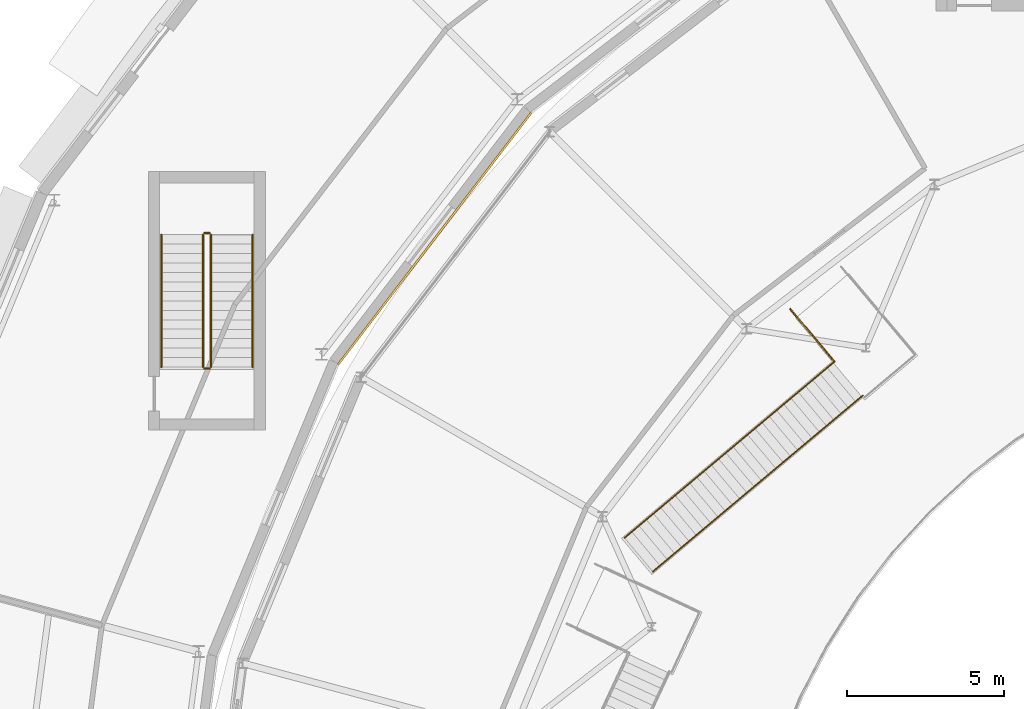
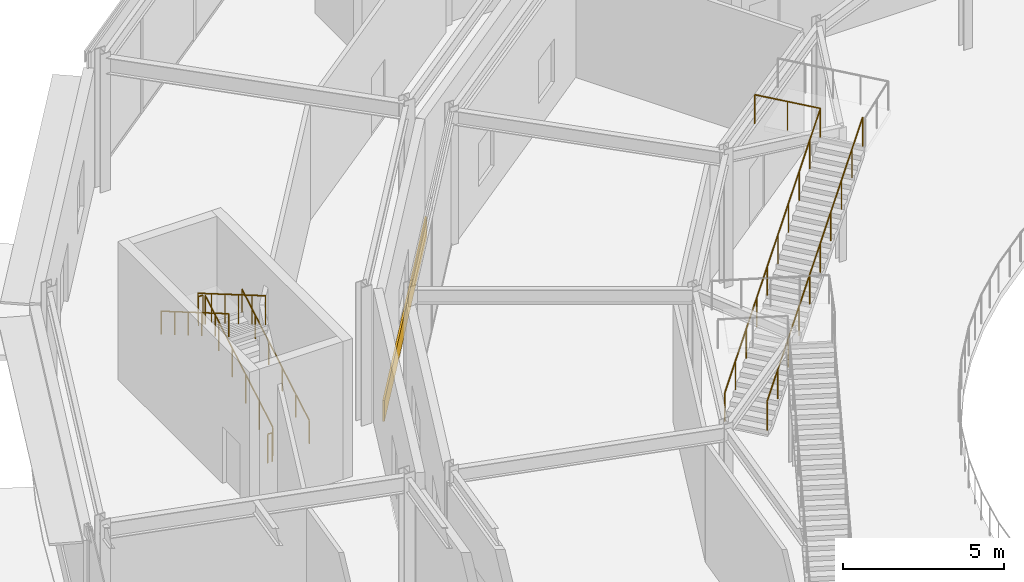
# One storey, part 154 of 168: 9 railings, 1 covering.
"""IFC4 building model written with IfcOpenShell, lengths in metres."""

import ifcopenshell
import ifcopenshell.guid

model = None  # the IFC model being written
_history = None  # IfcOwnerHistory: only IFC2X3 demands one
_inside = {}  # id of a spatial element -> (the spatial element, [elements in it])
_under = {}  # id of a project, library or spatial element -> (it, [spatial elements below it])
_declared = {}  # id of a project -> (the project, [libraries it declares])
_typed = {}  # id of a type object -> (the type object, [elements of that type])
_made_of = {}  # id of a material, layer set ... -> (it, [elements and type objects made of it])


def new_model(schema):
    """Start an empty IFC model of exactly this schema.

    Asked for "IFC4X3", IfcOpenShell would pick the latest addendum, in which some entities
    have other attributes; the version numbers below select the first issue.
    IFC2X3 requires an IfcOwnerHistory on every rooted entity: one is made here for all.
    """
    global model, _history
    if schema == "IFC4X3":
        model = ifcopenshell.file(schema_version=(4, 3, 0, 0))
    else:
        model = ifcopenshell.file(schema=schema)
    _inside.clear()
    _under.clear()
    _declared.clear()
    _typed.clear()
    _made_of.clear()
    _history = None
    if model.schema == "IFC2X3":
        org = make("IfcOrganization", Name="unknown")
        user = make(
            "IfcPersonAndOrganization",
            ThePerson=make("IfcPerson", FamilyName="unknown"),
            TheOrganization=org,
        )
        app = make(
            "IfcApplication",
            ApplicationDeveloper=org,
            Version="unknown",
            ApplicationFullName="unknown",
            ApplicationIdentifier="unknown",
        )
        _history = make(
            "IfcOwnerHistory",
            OwningUser=user,
            OwningApplication=app,
            ChangeAction="ADDED",
            CreationDate=0,
        )
    return model


def make(cls, **values):
    """One entity of the class cls with the attributes given. An attribute that is None is left unset."""
    return model.create_entity(
        cls, **{name: value for name, value in values.items() if value is not None}
    )


def rooted(cls, **values):
    """An entity with a GlobalId (a new one), such as an element, a storey or a relation."""
    return make(cls, GlobalId=ifcopenshell.guid.new(), OwnerHistory=_history, **values)


def si_unit(unit_type, name, prefix=None):
    """IfcSIUnit, for example si_unit("LENGTHUNIT", "METRE", prefix="MILLI")."""
    return make("IfcSIUnit", UnitType=unit_type, Prefix=prefix, Name=name)


def assignment(units):
    """IfcUnitAssignment: the units of a project."""
    return None if units is None else make("IfcUnitAssignment", Units=units)


def point(xyz):
    """IfcCartesianPoint."""
    return None if xyz is None else make("IfcCartesianPoint", Coordinates=xyz)


def direction(xyz):
    """IfcDirection."""
    return None if xyz is None else make("IfcDirection", DirectionRatios=xyz)


def frame(location, z_axis=None, x_axis=None):
    """IfcAxis2Placement3D, a coordinate frame: its origin and axes. An axis left out is left unset."""
    return make(
        "IfcAxis2Placement3D",
        Location=point(location),
        Axis=direction(z_axis),
        RefDirection=direction(x_axis),
    )


def frame_2d(location, x_axis=None):
    """IfcAxis2Placement2D, a coordinate frame in the plane: its origin and x axis."""
    return make(
        "IfcAxis2Placement2D", Location=point(location), RefDirection=direction(x_axis)
    )


def origin():
    """The frame at (0, 0, 0) with its axes left unset."""
    return frame((0.0, 0.0, 0.0))


def origin_2d():
    """The frame at (0, 0) in the plane with its x axis left unset."""
    return frame_2d((0.0, 0.0))


def place(relative_to, where):
    """IfcLocalPlacement: puts the frame where relative to a parent placement (None: the world)."""
    return make(
        "IfcLocalPlacement", PlacementRelTo=relative_to, RelativePlacement=where
    )


def context(
    kind, dimensions, precision=None, world=None, true_north=None, identifier=None
):
    """IfcGeometricRepresentationContext, for example the 3D "Model" context."""
    return make(
        "IfcGeometricRepresentationContext",
        ContextIdentifier=identifier,
        ContextType=kind,
        CoordinateSpaceDimension=dimensions,
        Precision=precision,
        WorldCoordinateSystem=world,
        TrueNorth=true_north,
    )


def subcontext(parent, identifier, kind, view, scale=None):
    """IfcGeometricRepresentationSubContext, for example "Body" below "Model"."""
    return make(
        "IfcGeometricRepresentationSubContext",
        ContextIdentifier=identifier,
        ContextType=kind,
        ParentContext=parent,
        TargetScale=scale,
        TargetView=view,
    )


def project(units=None, contexts=None):
    """IfcProject with its units and contexts."""
    return rooted(
        "IfcProject",
        Name="project",
        RepresentationContexts=contexts,
        UnitsInContext=assignment(units),
    )


def spatial(cls, under=None, at=None, **own):
    """A site, building, storey or space (cls), placed at a placement, below another one or the project."""
    s = rooted(cls, ObjectPlacement=at, **own)
    if under is not None:
        _under.setdefault(under.id(), (under, []))[1].append(s)
    return s


def profile(cls, at=None, kind="AREA", **sizes):
    """A parametric profile (cls). Its sizes go by their IFC names, for example OverallWidth=200.0."""
    return make(cls, ProfileType=kind, Position=at, **sizes)


def rectangle(**sizes):
    """IfcRectangleProfileDef."""
    return profile("IfcRectangleProfileDef", **sizes)


def circle(**sizes):
    """IfcCircleProfileDef."""
    return profile("IfcCircleProfileDef", **sizes)


def extrude(swept, where, along, depth):
    """IfcExtrudedAreaSolid: the profile swept, set in the frame where, extruded along a direction by depth."""
    return make(
        "IfcExtrudedAreaSolid",
        SweptArea=swept,
        Position=where,
        ExtrudedDirection=direction(along),
        Depth=depth,
    )


def shape(context_of_items, identifier, shape_type, items):
    """IfcShapeRepresentation: the items that make up one representation, for example the "Body"."""
    return make(
        "IfcShapeRepresentation",
        ContextOfItems=context_of_items,
        RepresentationIdentifier=identifier,
        RepresentationType=shape_type,
        Items=items,
    )


def material(Name=None, Category=None):
    """IfcMaterial."""
    return make("IfcMaterial", Name=Name, Category=Category)


def layer(
    of_material, thickness, ventilated=None, Name=None, Category=None, Priority=None
):
    """IfcMaterialLayer: one layer of a wall or slab, of a material (None: an air gap)."""
    return make(
        "IfcMaterialLayer",
        Material=of_material,
        LayerThickness=thickness,
        IsVentilated=ventilated,
        Name=Name,
        Category=Category,
        Priority=Priority,
    )


def layer_set(layers, Name=None):
    """IfcMaterialLayerSet."""
    return make("IfcMaterialLayerSet", MaterialLayers=layers, LayerSetName=Name)


def made_of(thing, what):
    """Note that an element or type object is made of a material, layer set ...; save() writes the relation."""
    if what is not None:
        _made_of.setdefault(what.id(), (what, []))[1].append(thing)
    return thing


def type_object(cls, material=None, **own):
    """A type object (cls), such as IfcWallType, which elements share."""
    return made_of(rooted(cls, **own), material)


def element(
    cls,
    number,
    at=None,
    inside=None,
    cuts=None,
    type_object=None,
    material=None,
    context=None,
    identifier="Body",
    shape_type=None,
    held_by="IfcProductDefinitionShape",
    body=None,
    shapes=None,
    **own,
):
    """One element of the class cls, such as IfcWall. Its Tag is "e" and its number.

    at: its placement. inside: the storey or other place that contains it. cuts: it is an
    opening in that element (IfcRelVoidsElement). A single representation is given by context,
    identifier, shape_type and body (its items); several are given by shapes. held_by: the class
    of the entity that holds the representations. save() writes the other relations.
    """
    e = rooted(cls, Tag="e%d" % number, ObjectPlacement=at, **own)
    if body is not None:
        shapes = [shape(context, identifier, shape_type, body)]
    if shapes is not None:
        e.Representation = make(held_by, Representations=shapes)
    if inside is not None:
        _inside.setdefault(inside.id(), (inside, []))[1].append(e)
    if cuts is not None:
        rooted(
            "IfcRelVoidsElement", RelatingBuildingElement=cuts, RelatedOpeningElement=e
        )
    if type_object is not None:
        _typed.setdefault(type_object.id(), (type_object, []))[1].append(e)
    return made_of(e, material)


def aggregate(whole, parts):
    """IfcRelAggregates: a whole, such as a stair, and the parts it consists of."""
    return rooted("IfcRelAggregates", RelatingObject=whole, RelatedObjects=parts)


def save(model, path):
    """Write the relations noted so far, then the file.

    IfcRelAggregates (storeys below a building ...), IfcRelContainedInSpatialStructure (elements
    in a storey), IfcRelDefinesByType, IfcRelAssociatesMaterial and IfcRelDeclares: one each for
    every whole, place, type object, material and project.
    """
    for whole, parts in _under.values():
        aggregate(whole, parts)
    for where, things in _inside.values():
        rooted(
            "IfcRelContainedInSpatialStructure",
            RelatedElements=things,
            RelatingStructure=where,
        )
    for kind, things in _typed.values():
        rooted("IfcRelDefinesByType", RelatedObjects=things, RelatingType=kind)
    for what, things in _made_of.values():
        rooted("IfcRelAssociatesMaterial", RelatedObjects=things, RelatingMaterial=what)
    for by, libraries in _declared.values():
        rooted("IfcRelDeclares", RelatingContext=by, RelatedDefinitions=libraries)
    model.write(path)


model = new_model("IFC4")

# Units and contexts
model_context = context("Model", 3, precision=1e-05, world=origin(), true_north=direction((0.0, 1.0)))
body_context = subcontext(model_context, "Body", "Model", "MODEL_VIEW")
ifc_project = project(units=[si_unit("LENGTHUNIT", "METRE"), si_unit("AREAUNIT", "SQUARE_METRE"), si_unit("VOLUMEUNIT", "CUBIC_METRE"), si_unit("PLANEANGLEUNIT", "RADIAN"), si_unit("MASSUNIT", "GRAM", prefix="KILO")], contexts=[model_context])

# Site, building, storey
site_placement = place(None, origin())
site = spatial("IfcSite", under=ifc_project, at=site_placement, CompositionType="ELEMENT")
building_placement = place(site_placement, origin())
building = spatial("IfcBuilding", under=site, at=building_placement, Name="Almandine Court Research Institute", CompositionType="ELEMENT")
storey_placement = place(building_placement, origin())
storey = spatial("IfcBuildingStorey", under=building, at=storey_placement, Name="L00", CompositionType="ELEMENT", Elevation=0.0)

# Covering
ifc_material_1 = material(Name="Honed Andean Red-Buff Sandstone Cladding", Category="masonry")
ifc_layer = layer(ifc_material_1, 0.06494140625)
ifc_layer_set = layer_set([ifc_layer], Name="Honed Andean Red-Buff Sandstone Cladding")
covering_type = type_object("IfcCoveringType", Name="Cov-CLAD-SAND", PredefinedType="CLADDING", material=ifc_layer_set)
covering_placement = place(storey_placement, frame((56.72998046875, 79.22705078125, 0.02001953125), z_axis=(0.0, 0.0, 1.0), x_axis=(-0.608761429009, -0.793353340291, 0.0)))
element("IfcCovering", 1, at=covering_placement, inside=storey, type_object=covering_type, Name="L00 Facade Spandrel Cladding Band 279", PredefinedType="CLADDING", context=body_context, shape_type="SweptSolid", body=[
    extrude(rectangle(XDim=10.080078125, YDim=0.06494140625, at=origin_2d()), origin(), (0.0, 0.0, 1.0), 0.800048828125),
])

# Railings
ifc_material_2 = material(Name="Powder-Coated Steel Stair and Atrium Balustrade", Category="steel")
railing_type_1 = type_object("IfcRailingType", Name="Rail-GUARD-INT", PredefinedType="BALUSTRADE", material=ifc_material_2)
railing_1_placement = place(storey_placement, frame((49.6298828125, 75.14990234375, 0.175048828125)))
element("IfcRailing", 2, at=railing_1_placement, inside=storey, type_object=railing_type_1, Name="L00 ST-15 stair guard 1", PredefinedType="BALUSTRADE", context=body_context, shape_type="SweptSolid", body=[
    extrude(circle(Radius=0.02392578125, at=origin_2d()), frame((0.0, 0.0, 1.09619140625), z_axis=(0.0, 0.863793468915, 0.503846050951), x_axis=(-1.0, 0.0, 0.0)), (0.0, 0.0, 1.0), 4.862548828125),
    extrude(circle(Radius=0.02099609375, at=origin_2d()), origin(), (0.0, 0.0, 1.0), 1.072021484375),
    extrude(circle(Radius=0.02099609375, at=origin_2d()), frame((0.0, 0.840087890625, 0.489990234375)), (0.0, 0.0, 1.0), 1.072021484375),
    extrude(circle(Radius=0.02099609375, at=origin_2d()), frame((0.0, 1.68017578125, 0.97998046875)), (0.0, 0.0, 1.0), 1.072021484375),
    extrude(circle(Radius=0.02099609375, at=origin_2d()), frame((0.0, 2.52001953125, 1.469970703125)), (0.0, 0.0, 1.0), 1.072021484375),
    extrude(circle(Radius=0.02099609375, at=origin_2d()), frame((0.0, 3.360107421875, 1.9599609375)), (0.0, 0.0, 1.0), 1.072021484375),
    extrude(circle(Radius=0.02099609375, at=origin_2d()), frame((0.0, 4.2001953125, 2.449951171875)), (0.0, 0.0, 1.0), 1.072021484375),
])
railing_2_placement = place(storey_placement, frame((49.580078125, 79.39990234375, 2.625)))
element("IfcRailing", 3, at=railing_2_placement, inside=storey, type_object=railing_type_1, Name="L00 ST-15 stair guard 2", PredefinedType="BALUSTRADE", context=body_context, shape_type="SweptSolid", body=[
    extrude(circle(Radius=0.02392578125, at=origin_2d()), frame((0.0, 0.0, 1.09619140625), z_axis=(-1.0, 0.0, 0.0), x_axis=(0.0, -1.0, 0.0)), (0.0, 0.0, 1.0), 0.16015625),
    extrude(circle(Radius=0.02099609375, at=origin_2d()), origin(), (0.0, 0.0, 1.0), 1.072021484375),
    extrude(circle(Radius=0.02099609375, at=origin_2d()), frame((-0.16015625, 0.0, 0.0)), (0.0, 0.0, 1.0), 1.072021484375),
])
railing_3_placement = place(storey_placement, frame((49.3701171875, 79.35009765625, 2.800048828125)))
element("IfcRailing", 4, at=railing_3_placement, inside=storey, type_object=railing_type_1, Name="L00 ST-15 stair guard 3", PredefinedType="BALUSTRADE", context=body_context, shape_type="SweptSolid", body=[
    extrude(circle(Radius=0.02392578125, at=origin_2d()), frame((0.0, 0.0, 1.09619140625), z_axis=(0.0, -0.863793468915, 0.503846050951), x_axis=(1.0, 0.0, 0.0)), (0.0, 0.0, 1.0), 4.862548828125),
    extrude(circle(Radius=0.02099609375, at=origin_2d()), origin(), (0.0, 0.0, 1.0), 1.072021484375),
    extrude(circle(Radius=0.02099609375, at=origin_2d()), frame((0.0, -0.840087890625, 0.489990234375)), (0.0, 0.0, 1.0), 1.072021484375),
    extrude(circle(Radius=0.02099609375, at=origin_2d()), frame((0.0, -1.68017578125, 0.97998046875)), (0.0, 0.0, 1.0), 1.072021484375),
    extrude(circle(Radius=0.02099609375, at=origin_2d()), frame((0.0, -2.52001953125, 1.469970703125)), (0.0, 0.0, 1.0), 1.072021484375),
    extrude(circle(Radius=0.02099609375, at=origin_2d()), frame((0.0, -3.360107421875, 1.9599609375)), (0.0, 0.0, 1.0), 1.072021484375),
    extrude(circle(Radius=0.02099609375, at=origin_2d()), frame((0.0, -4.2001953125, 2.449951171875)), (0.0, 0.0, 1.0), 1.072021484375),
])
railing_4_placement = place(storey_placement, frame((49.580078125, 75.10009765625, 0.0)))
element("IfcRailing", 5, at=railing_4_placement, inside=storey, type_object=railing_type_1, Name="L00 ST-15 stair guard 4", PredefinedType="BALUSTRADE", context=body_context, shape_type="SweptSolid", body=[
    extrude(circle(Radius=0.02392578125, at=origin_2d()), frame((0.0, 0.0, 1.09619140625), z_axis=(-1.0, 0.0, 0.0), x_axis=(0.0, -1.0, 0.0)), (0.0, 0.0, 1.0), 0.16015625),
    extrude(circle(Radius=0.02099609375, at=origin_2d()), origin(), (0.0, 0.0, 1.0), 1.072021484375),
    extrude(circle(Radius=0.02099609375, at=origin_2d()), frame((-0.16015625, 0.0, 0.0)), (0.0, 0.0, 1.0), 1.072021484375),
])
railing_5_placement = place(storey_placement, frame((63.654052734375, 68.654052734375, 0.175048828125)))
element("IfcRailing", 6, at=railing_5_placement, inside=storey, type_object=railing_type_1, Name="L00 ST-AT-03 Flight Guard IN", PredefinedType="BALUSTRADE", context=body_context, shape_type="SweptSolid", body=[
    extrude(circle(Radius=0.02392578125, at=origin_2d()), frame((0.0, 0.0, 1.09619140625), z_axis=(0.661727596307, 0.555196725034, 0.503858298331), x_axis=(-0.642747759469, 0.766077879655, 0.0)), (0.0, 0.0, 1.0), 10.072265625),
    extrude(circle(Radius=0.02099609375, at=origin_2d()), origin(), (0.0, 0.0, 1.0), 1.072021484375),
    extrude(circle(Radius=0.02099609375, at=origin_2d()), frame((0.740478515625, 0.621337890625, 0.56396484375)), (0.0, 0.0, 1.0), 1.072021484375),
    extrude(circle(Radius=0.02099609375, at=origin_2d()), frame((1.481201171875, 1.24267578125, 1.127685546875)), (0.0, 0.0, 1.0), 1.072021484375),
    extrude(circle(Radius=0.02099609375, at=origin_2d()), frame((2.2216796875, 1.864013671875, 1.691650390625)), (0.0, 0.0, 1.0), 1.072021484375),
    extrude(circle(Radius=0.02099609375, at=origin_2d()), frame((2.962158203125, 2.4853515625, 2.255615234375)), (0.0, 0.0, 1.0), 1.072021484375),
    extrude(circle(Radius=0.02099609375, at=origin_2d()), frame((3.702880859375, 3.106689453125, 2.8193359375)), (0.0, 0.0, 1.0), 1.072021484375),
    extrude(circle(Radius=0.02099609375, at=origin_2d()), frame((4.443359375, 3.72802734375, 3.38330078125)), (0.0, 0.0, 1.0), 1.072021484375),
    extrude(circle(Radius=0.02099609375, at=origin_2d()), frame((5.183837890625, 4.349365234375, 3.947265625)), (0.0, 0.0, 1.0), 1.072021484375),
    extrude(circle(Radius=0.02099609375, at=origin_2d()), frame((5.924560546875, 4.970703125, 4.510986328125)), (0.0, 0.0, 1.0), 1.072021484375),
    extrude(circle(Radius=0.02099609375, at=origin_2d()), frame((6.6650390625, 5.592041015625, 5.074951171875)), (0.0, 0.0, 1.0), 1.072021484375),
])
railing_6_placement = place(storey_placement, frame((62.75390625, 69.72607421875, 0.175048828125)))
element("IfcRailing", 7, at=railing_6_placement, inside=storey, type_object=railing_type_1, Name="L00 ST-AT-03 Flight Guard OUT", PredefinedType="BALUSTRADE", context=body_context, shape_type="SweptSolid", body=[
    extrude(circle(Radius=0.02392578125, at=origin_2d()), frame((0.0, 0.0, 1.09619140625), z_axis=(0.66169197535, 0.555263789864, 0.503831175517), x_axis=(-0.642813626656, 0.766022611537, 0.0)), (0.0, 0.0, 1.0), 10.07275390625),
    extrude(circle(Radius=0.02099609375, at=origin_2d()), origin(), (0.0, 0.0, 1.0), 1.072021484375),
    extrude(circle(Radius=0.02099609375, at=origin_2d()), frame((0.740478515625, 0.621337890625, 0.56396484375)), (0.0, 0.0, 1.0), 1.072021484375),
    extrude(circle(Radius=0.02099609375, at=origin_2d()), frame((1.481201171875, 1.242919921875, 1.127685546875)), (0.0, 0.0, 1.0), 1.072021484375),
    extrude(circle(Radius=0.02099609375, at=origin_2d()), frame((2.2216796875, 1.8642578125, 1.691650390625)), (0.0, 0.0, 1.0), 1.072021484375),
    extrude(circle(Radius=0.02099609375, at=origin_2d()), frame((2.962158203125, 2.48583984375, 2.255615234375)), (0.0, 0.0, 1.0), 1.072021484375),
    extrude(circle(Radius=0.02099609375, at=origin_2d()), frame((3.702880859375, 3.107177734375, 2.8193359375)), (0.0, 0.0, 1.0), 1.072021484375),
    extrude(circle(Radius=0.02099609375, at=origin_2d()), frame((4.443359375, 3.728759765625, 3.38330078125)), (0.0, 0.0, 1.0), 1.072021484375),
    extrude(circle(Radius=0.02099609375, at=origin_2d()), frame((5.183837890625, 4.35009765625, 3.947265625)), (0.0, 0.0, 1.0), 1.072021484375),
    extrude(circle(Radius=0.02099609375, at=origin_2d()), frame((5.924560546875, 4.9716796875, 4.510986328125)), (0.0, 0.0, 1.0), 1.072021484375),
    extrude(circle(Radius=0.02099609375, at=origin_2d()), frame((6.6650390625, 5.593017578125, 5.074951171875)), (0.0, 0.0, 1.0), 1.072021484375),
])
railing_7_placement = place(storey_placement, frame((69.4189453125, 75.319091796875, 5.25)))
element("IfcRailing", 8, at=railing_7_placement, inside=storey, type_object=railing_type_1, Name="L00 ST-AT-03 Landing Near Return Guard", PredefinedType="BALUSTRADE", context=body_context, shape_type="SweptSolid", body=[
    extrude(circle(Radius=0.02392578125, at=origin_2d()), frame((0.0, 0.0, 1.09619140625), z_axis=(-0.642692859256, 0.766123938186, 0.0), x_axis=(-0.766123938186, -0.642692859256, 0.0)), (0.0, 0.0, 1.0), 2.1796875),
    extrude(circle(Radius=0.02099609375, at=origin_2d()), origin(), (0.0, 0.0, 1.0), 1.072021484375),
    extrude(circle(Radius=0.02099609375, at=origin_2d()), frame((-0.700439453125, 0.8349609375, 0.0)), (0.0, 0.0, 1.0), 1.072021484375),
    extrude(circle(Radius=0.02099609375, at=origin_2d()), frame((-1.40087890625, 1.669921875, 0.0)), (0.0, 0.0, 1.0), 1.072021484375),
])
ifc_material_3 = material(Name="Brushed Stainless Steel Wall Handrail", Category="steel")
railing_type_2 = type_object("IfcRailingType", Name="Rail-HAND-INT", PredefinedType="HANDRAIL", material=ifc_material_3)
railing_8_placement = place(storey_placement, frame((50.949951171875, 75.14990234375, 0.175048828125)))
element("IfcRailing", 9, at=railing_8_placement, inside=storey, type_object=railing_type_2, Name="L00 ST-15 stair handrail 1", PredefinedType="HANDRAIL", context=body_context, shape_type="SweptSolid", body=[
    extrude(circle(Radius=0.02392578125, at=origin_2d()), frame((0.0, 0.0, 0.8759765625), z_axis=(0.0, 0.863793468915, 0.503846050951), x_axis=(-1.0, 0.0, 0.0)), (0.0, 0.0, 1.0), 4.862548828125),
    extrude(circle(Radius=0.02099609375, at=origin_2d()), origin(), (0.0, 0.0, 1.0), 0.851806640625),
    extrude(circle(Radius=0.02099609375, at=origin_2d()), frame((0.0, 0.840087890625, 0.489990234375)), (0.0, 0.0, 1.0), 0.851806640625),
    extrude(circle(Radius=0.02099609375, at=origin_2d()), frame((0.0, 1.68017578125, 0.97998046875)), (0.0, 0.0, 1.0), 0.851806640625),
    extrude(circle(Radius=0.02099609375, at=origin_2d()), frame((0.0, 2.52001953125, 1.469970703125)), (0.0, 0.0, 1.0), 0.851806640625),
    extrude(circle(Radius=0.02099609375, at=origin_2d()), frame((0.0, 3.360107421875, 1.9599609375)), (0.0, 0.0, 1.0), 0.851806640625),
    extrude(circle(Radius=0.02099609375, at=origin_2d()), frame((0.0, 4.2001953125, 2.449951171875)), (0.0, 0.0, 1.0), 0.851806640625),
])
railing_9_placement = place(storey_placement, frame((48.050048828125, 79.35009765625, 2.800048828125)))
element("IfcRailing", 10, at=railing_9_placement, inside=storey, type_object=railing_type_2, Name="L00 ST-15 stair handrail 2", PredefinedType="HANDRAIL", context=body_context, shape_type="SweptSolid", body=[
    extrude(circle(Radius=0.02392578125, at=origin_2d()), frame((0.0, 0.0, 0.8759765625), z_axis=(0.0, -0.863793468915, 0.503846050951), x_axis=(1.0, 0.0, 0.0)), (0.0, 0.0, 1.0), 4.862548828125),
    extrude(circle(Radius=0.02099609375, at=origin_2d()), origin(), (0.0, 0.0, 1.0), 0.851806640625),
    extrude(circle(Radius=0.02099609375, at=origin_2d()), frame((0.0, -0.840087890625, 0.489990234375)), (0.0, 0.0, 1.0), 0.851806640625),
    extrude(circle(Radius=0.02099609375, at=origin_2d()), frame((0.0, -1.68017578125, 0.97998046875)), (0.0, 0.0, 1.0), 0.851806640625),
    extrude(circle(Radius=0.02099609375, at=origin_2d()), frame((0.0, -2.52001953125, 1.469970703125)), (0.0, 0.0, 1.0), 0.851806640625),
    extrude(circle(Radius=0.02099609375, at=origin_2d()), frame((0.0, -3.360107421875, 1.9599609375)), (0.0, 0.0, 1.0), 0.851806640625),
    extrude(circle(Radius=0.02099609375, at=origin_2d()), frame((0.0, -4.2001953125, 2.449951171875)), (0.0, 0.0, 1.0), 0.851806640625),
])

save(model, "model.ifc")
